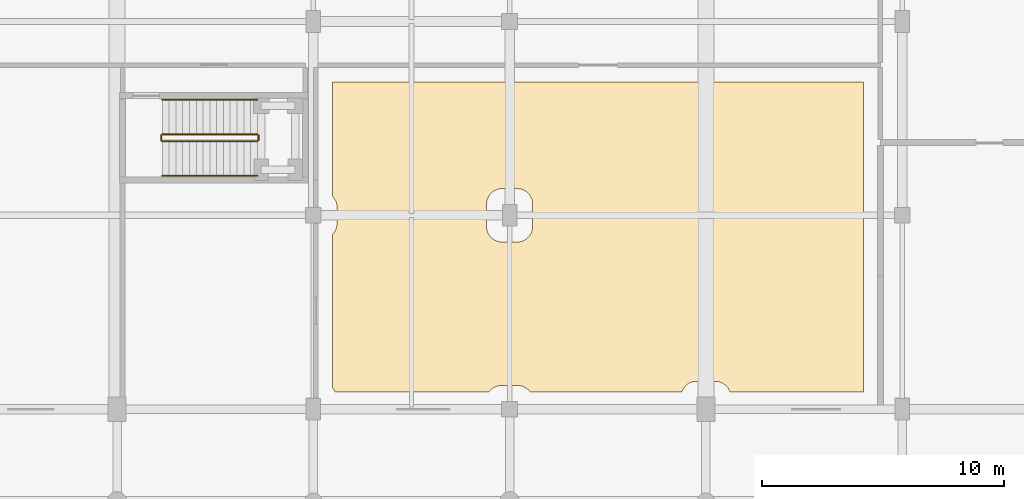
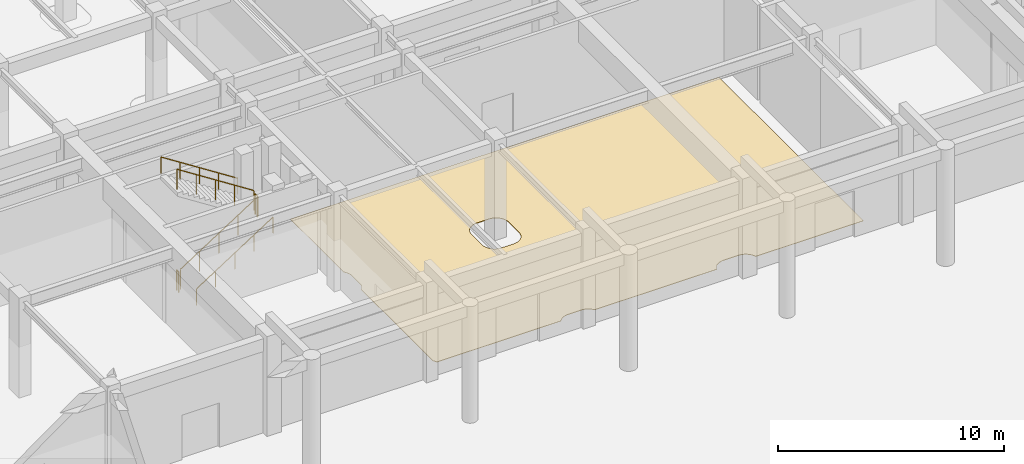
# One storey, part 51 of 62: 6 railings, 1 covering.
"""IFC4 building model written with IfcOpenShell, lengths in metres."""

from ifc_helpers import new_model, si_unit, direction, frame, origin, origin_2d, place, context, subcontext, project, spatial, polyline, circle, outline, extrude, material, layer, layer_set, type_object, element, save


model = new_model("IFC4")

# Units and contexts
model_context = context("Model", 3, precision=1e-05, world=origin(), true_north=direction((0.0, 1.0)))
body_context = subcontext(model_context, "Body", "Model", "MODEL_VIEW")
ifc_project = project(units=[si_unit("LENGTHUNIT", "METRE"), si_unit("AREAUNIT", "SQUARE_METRE"), si_unit("VOLUMEUNIT", "CUBIC_METRE"), si_unit("PLANEANGLEUNIT", "RADIAN"), si_unit("MASSUNIT", "GRAM", prefix="KILO")], contexts=[model_context])

# Site, building, storey
site_placement = place(None, origin())
site = spatial("IfcSite", under=ifc_project, at=site_placement, CompositionType="ELEMENT")
building_placement = place(site_placement, origin())
building = spatial("IfcBuilding", under=site, at=building_placement, Name="Tarnveldt Square Police Headquarters", CompositionType="ELEMENT")
storey_placement = place(building_placement, origin())
storey = spatial("IfcBuildingStorey", under=building, at=storey_placement, Name="L00", CompositionType="ELEMENT", Elevation=0.0)

# Covering
ifc_material_1 = material(Name="Polished cementitious terrazzo flooring", Category="concrete")
ifc_layer = layer(ifc_material_1, 0.02490234375)
ifc_layer_set = layer_set([ifc_layer], Name="Polished cementitious terrazzo flooring")
covering_type = type_object("IfcCoveringType", Name="COV-FLR-25", PredefinedType="FLOORING", material=ifc_layer_set)
covering_placement = place(storey_placement, origin())
element("IfcCovering", 1, at=covering_placement, inside=storey, type_object=covering_type, Name="Public Front Counter Hall Terrazzo Finish Flooring", PredefinedType="FLOORING", context=body_context, shape_type="SweptSolid", body=[
    extrude(outline(polyline([(33.199951171875, 16.869384765625), (33.199951171875, 23.22802734375), (33.2294921875, 23.2607421875), (33.267333984375, 23.311767578125), (33.30029296875, 23.36669921875), (33.32763671875, 23.42431640625), (33.34912109375, 23.484375), (33.364501953125, 23.546142578125), (33.373779296875, 23.609375), (33.376953125, 23.673095703125), (33.376953125, 24.326904296875), (33.373779296875, 24.390625), (33.364501953125, 24.453857421875), (33.34912109375, 24.515625), (33.32763671875, 24.57568359375), (33.30029296875, 24.63330078125), (33.267333984375, 24.688232421875), (33.2294921875, 24.7392578125), (33.199951171875, 24.77197265625), (33.199951171875, 29.5), (55.10009765625, 29.5), (55.10009765625, 16.699951171875), (49.595703125, 16.699951171875), (49.57763671875, 16.750732421875), (49.55029296875, 16.808349609375), (49.517333984375, 16.863037109375), (49.4794921875, 16.914306640625), (49.4365234375, 16.961669921875), (49.389404296875, 17.00439453125), (49.338134765625, 17.04248046875), (49.283447265625, 17.0751953125), (49.225830078125, 17.1025390625), (49.165771484375, 17.1240234375), (49.103759765625, 17.139404296875), (49.040771484375, 17.14892578125), (48.97705078125, 17.152099609375), (48.222900390625, 17.152099609375), (48.1591796875, 17.14892578125), (48.09619140625, 17.139404296875), (48.034423828125, 17.1240234375), (47.974365234375, 17.1025390625), (47.91650390625, 17.0751953125), (47.86181640625, 17.04248046875), (47.810546875, 17.00439453125), (47.763427734375, 16.961669921875), (47.720458984375, 16.914306640625), (47.6826171875, 16.863037109375), (47.649658203125, 16.808349609375), (47.62255859375, 16.750732421875), (47.604248046875, 16.699951171875), (41.358642578125, 16.699951171875), (41.329345703125, 16.7392578125), (41.28662109375, 16.78662109375), (41.2392578125, 16.829345703125), (41.188232421875, 16.867431640625), (41.13330078125, 16.900146484375), (41.07568359375, 16.927490234375), (41.015625, 16.948974609375), (40.953857421875, 16.964599609375), (40.890625, 16.973876953125), (40.826904296875, 16.97705078125), (40.173095703125, 16.97705078125), (40.109375, 16.973876953125), (40.046142578125, 16.964599609375), (39.984375, 16.948974609375), (39.92431640625, 16.927490234375), (39.86669921875, 16.900146484375), (39.811767578125, 16.867431640625), (39.7607421875, 16.829345703125), (39.71337890625, 16.78662109375), (39.670654296875, 16.7392578125), (39.641357421875, 16.699951171875), (33.302734375, 16.699951171875), (33.302490234375, 16.70068359375), (33.275146484375, 16.75830078125), (33.242431640625, 16.813232421875), (33.204345703125, 16.8642578125), (33.199951171875, 16.869384765625)]), holes=[polyline([(41.451904296875, 24.451904296875), (41.448974609375, 24.515625), (41.439453125, 24.578857421875), (41.424072265625, 24.640625), (41.402587890625, 24.70068359375), (41.375244140625, 24.75830078125), (41.342529296875, 24.813232421875), (41.304443359375, 24.8642578125), (41.26171875, 24.91162109375), (41.21435546875, 24.954345703125), (41.1630859375, 24.992431640625), (41.1083984375, 25.025146484375), (41.05078125, 25.052490234375), (40.99072265625, 25.073974609375), (40.9287109375, 25.089599609375), (40.86572265625, 25.098876953125), (40.802001953125, 25.10205078125), (40.197998046875, 25.10205078125), (40.13427734375, 25.098876953125), (40.0712890625, 25.089599609375), (40.00927734375, 25.073974609375), (39.94921875, 25.052490234375), (39.8916015625, 25.025146484375), (39.8369140625, 24.992431640625), (39.78564453125, 24.954345703125), (39.73828125, 24.91162109375), (39.695556640625, 24.8642578125), (39.657470703125, 24.813232421875), (39.624755859375, 24.75830078125), (39.597412109375, 24.70068359375), (39.575927734375, 24.640625), (39.560546875, 24.578857421875), (39.551025390625, 24.515625), (39.548095703125, 24.451904296875), (39.548095703125, 23.548095703125), (39.551025390625, 23.484375), (39.560546875, 23.421142578125), (39.575927734375, 23.359375), (39.597412109375, 23.29931640625), (39.624755859375, 23.24169921875), (39.657470703125, 23.186767578125), (39.695556640625, 23.1357421875), (39.73828125, 23.08837890625), (39.78564453125, 23.045654296875), (39.8369140625, 23.007568359375), (39.8916015625, 22.974853515625), (39.94921875, 22.947509765625), (40.00927734375, 22.926025390625), (40.0712890625, 22.910400390625), (40.13427734375, 22.901123046875), (40.197998046875, 22.89794921875), (40.802001953125, 22.89794921875), (40.86572265625, 22.901123046875), (40.9287109375, 22.910400390625), (40.99072265625, 22.926025390625), (41.05078125, 22.947509765625), (41.1083984375, 22.974853515625), (41.1630859375, 23.007568359375), (41.21435546875, 23.045654296875), (41.26171875, 23.08837890625), (41.304443359375, 23.1357421875), (41.342529296875, 23.186767578125), (41.375244140625, 23.24169921875), (41.402587890625, 23.29931640625), (41.424072265625, 23.359375), (41.439453125, 23.421142578125), (41.448974609375, 23.484375), (41.451904296875, 23.548095703125), (41.451904296875, 24.451904296875)])]), origin(), (0.0, 0.0, 1.0), 0.02490234375),
])

# Railings
ifc_material_2 = material(Name="Steel 350W", Category="steel")
railing_type_1 = type_object("IfcRailingType", Name="RL-GR-1100", PredefinedType="GUARDRAIL", material=ifc_material_2)
railing_1_placement = place(storey_placement, frame((26.169921875, 27.050048828125, 0.179931640625)))
element("IfcRailing", 2, at=railing_1_placement, inside=storey, type_object=railing_type_1, Name="L00 ST6 stair guard 1", PredefinedType="GUARDRAIL", context=body_context, shape_type="SweptSolid", body=[
    extrude(circle(Radius=0.02392578125, at=origin_2d()), frame((0.0, 0.0, 1.076171875), z_axis=(0.841186985886, 0.0, 0.540744352514), x_axis=(0.0, 1.0, 0.0)), (0.0, 0.0, 1.0), 4.660400390625),
    extrude(circle(Radius=0.02099609375, at=origin_2d()), origin(), (0.0, 0.0, 1.0), 1.052001953125),
    extrude(circle(Radius=0.02099609375, at=origin_2d()), frame((0.97998046875, 0.0, 0.6298828125)), (0.0, 0.0, 1.0), 1.052001953125),
    extrude(circle(Radius=0.02099609375, at=origin_2d()), frame((1.9599609375, 0.0, 1.260009765625)), (0.0, 0.0, 1.0), 1.052001953125),
    extrude(circle(Radius=0.02099609375, at=origin_2d()), frame((2.940185546875, 0.0, 1.89013671875)), (0.0, 0.0, 1.0), 1.052001953125),
    extrude(circle(Radius=0.02099609375, at=origin_2d()), frame((3.920166015625, 0.0, 2.52001953125)), (0.0, 0.0, 1.0), 1.052001953125),
])
railing_2_placement = place(storey_placement, frame((30.139892578125, 27.10009765625, 2.699951171875)))
element("IfcRailing", 3, at=railing_2_placement, inside=storey, type_object=railing_type_1, Name="L00 ST6 stair guard 2", PredefinedType="GUARDRAIL", context=body_context, shape_type="SweptSolid", body=[
    extrude(circle(Radius=0.02392578125, at=origin_2d()), frame((0.0, 0.0, 1.076171875), z_axis=(0.0, 1.0, 0.0), x_axis=(-1.0, 0.0, 0.0)), (0.0, 0.0, 1.0), 0.199951171875),
    extrude(circle(Radius=0.02099609375, at=origin_2d()), origin(), (0.0, 0.0, 1.0), 1.052001953125),
    extrude(circle(Radius=0.02099609375, at=origin_2d()), frame((0.0, 0.199951171875, 0.0)), (0.0, 0.0, 1.0), 1.052001953125),
])
railing_3_placement = place(storey_placement, frame((30.090087890625, 27.35009765625, 2.8798828125)))
element("IfcRailing", 4, at=railing_3_placement, inside=storey, type_object=railing_type_1, Name="L00 ST6 stair guard 3", PredefinedType="GUARDRAIL", context=body_context, shape_type="SweptSolid", body=[
    extrude(circle(Radius=0.02392578125, at=origin_2d()), frame((0.0, 0.0, 1.076171875), z_axis=(-0.841186985886, 0.0, 0.540744352514), x_axis=(0.0, -1.0, 0.0)), (0.0, 0.0, 1.0), 4.660400390625),
    extrude(circle(Radius=0.02099609375, at=origin_2d()), origin(), (0.0, 0.0, 1.0), 1.052001953125),
    extrude(circle(Radius=0.02099609375, at=origin_2d()), frame((-0.97998046875, 0.0, 0.6298828125)), (0.0, 0.0, 1.0), 1.052001953125),
    extrude(circle(Radius=0.02099609375, at=origin_2d()), frame((-1.9599609375, 0.0, 1.260009765625)), (0.0, 0.0, 1.0), 1.052001953125),
    extrude(circle(Radius=0.02099609375, at=origin_2d()), frame((-2.940185546875, 0.0, 1.89013671875)), (0.0, 0.0, 1.0), 1.052001953125),
    extrude(circle(Radius=0.02099609375, at=origin_2d()), frame((-3.920166015625, 0.0, 2.52001953125)), (0.0, 0.0, 1.0), 1.052001953125),
])
railing_4_placement = place(storey_placement, frame((26.1201171875, 27.10009765625, 0.0)))
element("IfcRailing", 5, at=railing_4_placement, inside=storey, type_object=railing_type_1, Name="L00 ST6 stair guard 4", PredefinedType="GUARDRAIL", context=body_context, shape_type="SweptSolid", body=[
    extrude(circle(Radius=0.02392578125, at=origin_2d()), frame((0.0, 0.0, 1.076171875), z_axis=(0.0, 1.0, 0.0), x_axis=(-1.0, 0.0, 0.0)), (0.0, 0.0, 1.0), 0.199951171875),
    extrude(circle(Radius=0.02099609375, at=origin_2d()), origin(), (0.0, 0.0, 1.0), 1.052001953125),
    extrude(circle(Radius=0.02099609375, at=origin_2d()), frame((0.0, 0.199951171875, 0.0)), (0.0, 0.0, 1.0), 1.052001953125),
])
railing_type_2 = type_object("IfcRailingType", Name="RL-HR-900", PredefinedType="HANDRAIL", material=ifc_material_2)
railing_5_placement = place(storey_placement, frame((26.169921875, 25.6298828125, 0.179931640625)))
element("IfcRailing", 6, at=railing_5_placement, inside=storey, type_object=railing_type_2, Name="L00 ST6 stair handrail 1", PredefinedType="HANDRAIL", context=body_context, shape_type="SweptSolid", body=[
    extrude(circle(Radius=0.02392578125, at=origin_2d()), frame((0.0, 0.0, 0.8759765625), z_axis=(0.841186985886, 0.0, 0.540744352514), x_axis=(0.0, 1.0, 0.0)), (0.0, 0.0, 1.0), 4.660400390625),
    extrude(circle(Radius=0.02099609375, at=origin_2d()), origin(), (0.0, 0.0, 1.0), 0.851806640625),
    extrude(circle(Radius=0.02099609375, at=origin_2d()), frame((0.97998046875, 0.0, 0.6298828125)), (0.0, 0.0, 1.0), 0.851806640625),
    extrude(circle(Radius=0.02099609375, at=origin_2d()), frame((1.9599609375, 0.0, 1.260009765625)), (0.0, 0.0, 1.0), 0.851806640625),
    extrude(circle(Radius=0.02099609375, at=origin_2d()), frame((2.940185546875, 0.0, 1.89013671875)), (0.0, 0.0, 1.0), 0.851806640625),
    extrude(circle(Radius=0.02099609375, at=origin_2d()), frame((3.920166015625, 0.0, 2.52001953125)), (0.0, 0.0, 1.0), 0.851806640625),
])
railing_6_placement = place(storey_placement, frame((30.090087890625, 28.77001953125, 2.8798828125)))
element("IfcRailing", 7, at=railing_6_placement, inside=storey, type_object=railing_type_2, Name="L00 ST6 stair handrail 2", PredefinedType="HANDRAIL", context=body_context, shape_type="SweptSolid", body=[
    extrude(circle(Radius=0.02392578125, at=origin_2d()), frame((0.0, 0.0, 0.8759765625), z_axis=(-0.841186985886, 0.0, 0.540744352514), x_axis=(0.0, -1.0, 0.0)), (0.0, 0.0, 1.0), 4.660400390625),
    extrude(circle(Radius=0.02099609375, at=origin_2d()), origin(), (0.0, 0.0, 1.0), 0.851806640625),
    extrude(circle(Radius=0.02099609375, at=origin_2d()), frame((-0.97998046875, 0.0, 0.6298828125)), (0.0, 0.0, 1.0), 0.851806640625),
    extrude(circle(Radius=0.02099609375, at=origin_2d()), frame((-1.9599609375, 0.0, 1.260009765625)), (0.0, 0.0, 1.0), 0.851806640625),
    extrude(circle(Radius=0.02099609375, at=origin_2d()), frame((-2.940185546875, 0.0, 1.89013671875)), (0.0, 0.0, 1.0), 0.851806640625),
    extrude(circle(Radius=0.02099609375, at=origin_2d()), frame((-3.920166015625, 0.0, 2.52001953125)), (0.0, 0.0, 1.0), 0.851806640625),
])

save(model, "model.ifc")
